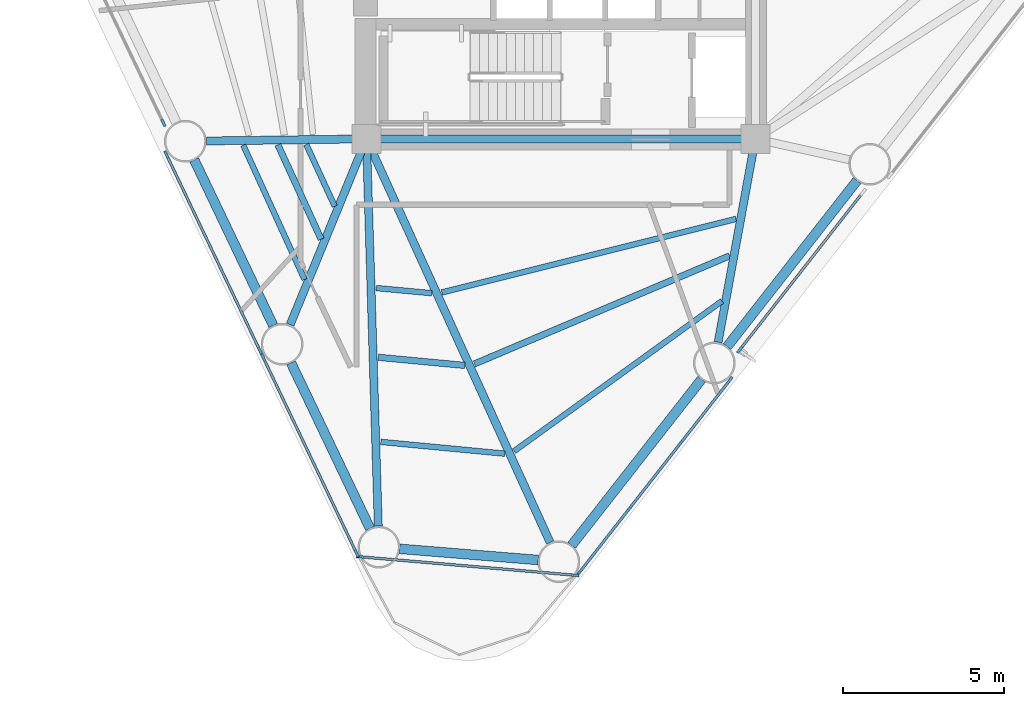
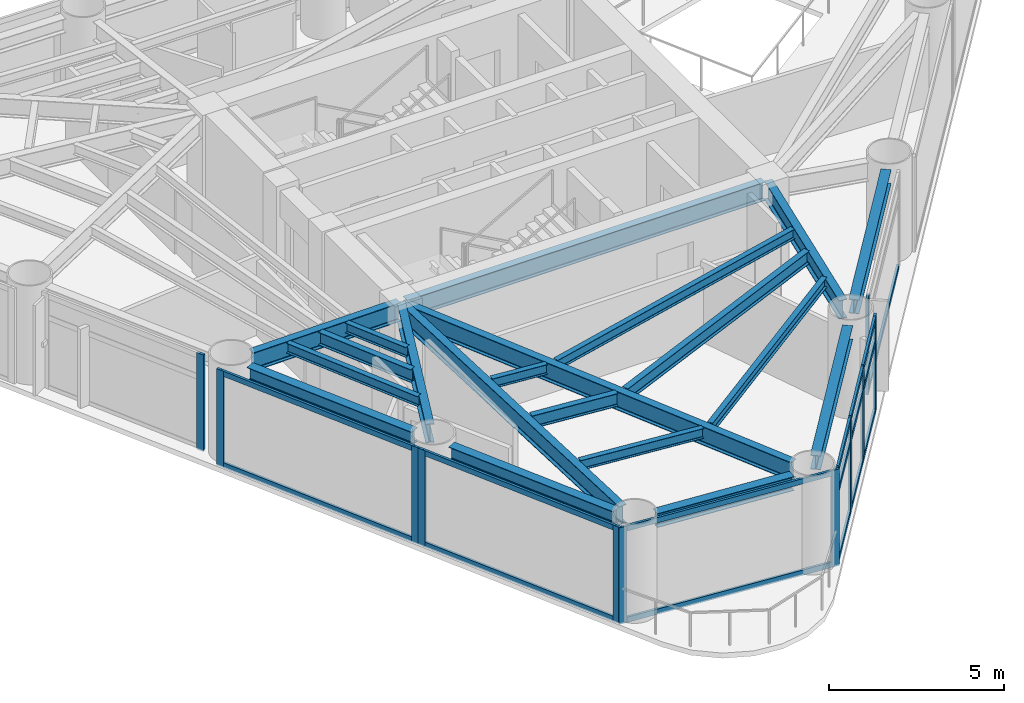
# One storey, part 2 of 10: 28 members, 20 beams, 6 elements without a shape of their own.
"""IFC4 building model written with IfcOpenShell, lengths in metres."""

from ifc_helpers import new_model, si_unit, direction, frame, origin, origin_2d, place, context, subcontext, project, spatial, rectangle, i_section, extrude, source, transform, mapped, material, layer, layer_set, material_profile, profile_set, type_object, element, aggregate, save


model = new_model("IFC4")

# Units and contexts
model_context = context("Model", 3, precision=1e-05, world=origin(), true_north=direction((0.0, 1.0)))
body_context = subcontext(model_context, "Body", "Model", "MODEL_VIEW")
ifc_project = project(units=[si_unit("LENGTHUNIT", "METRE"), si_unit("AREAUNIT", "SQUARE_METRE"), si_unit("VOLUMEUNIT", "CUBIC_METRE"), si_unit("PLANEANGLEUNIT", "RADIAN"), si_unit("MASSUNIT", "GRAM", prefix="KILO")], contexts=[model_context])

# Site, building, storey
site_placement = place(None, origin())
site = spatial("IfcSite", under=ifc_project, at=site_placement, CompositionType="ELEMENT")
building_placement = place(site_placement, origin())
building = spatial("IfcBuilding", under=site, at=building_placement, Name="Yunling Apex Tower", CompositionType="ELEMENT")
storey_placement = place(building_placement, frame((0.0, 0.0, 132.949951171875)))
storey = spatial("IfcBuildingStorey", under=building, at=storey_placement, Name="L32", CompositionType="ELEMENT", Elevation=132.949951171875)

# Beams
ifc_material_1 = material(Name="Steel Q355B", Category="steel")
ifc_material_profile_1 = material_profile(ifc_material_1, i_section(OverallWidth=0.25, OverallDepth=0.64990234375, WebThickness=0.011962890625, FlangeThickness=0.02001953125, FilletRadius=0.02392578125, at=origin_2d()))
ifc_profile_set_1 = profile_set([ifc_material_profile_1], Name="Steel Q355B")
beam_type_1 = type_object("IfcBeamType", Name="BG-PRI-4", PredefinedType="USERDEFINED", material=ifc_profile_set_1)
shared_shape_1 = source(origin(), body_context, "Body", "SweptSolid", [
    extrude(i_section(OverallWidth=0.25, OverallDepth=0.64990234375, WebThickness=0.011962890625, FlangeThickness=0.02001953125, FilletRadius=0.02392578125, at=origin_2d()), origin(), (0.0, 0.0, 1.0), 11.7998046875),
])
beam_1_placement = place(storey_placement, frame((-5.89990234375, -5.5, 2.945068359375), z_axis=(1.0, 0.0, 0.0), x_axis=(0.0, 1.0, 0.0)))
element("IfcBeam", 1, at=beam_1_placement, inside=storey, type_object=beam_type_1, Name="L32 Core Ring Tie Beam 1", ObjectType="GIRDER", PredefinedType="USERDEFINED", context=body_context, shape_type="MappedRepresentation", body=[
    mapped(shared_shape_1, transform((0.0, 0.0, 0.0), scale=1.0)),
])
ifc_material_profile_2 = material_profile(ifc_material_1, i_section(OverallWidth=0.300048828125, OverallDepth=0.489990234375, WebThickness=0.010986328125, FlangeThickness=0.01806640625, FilletRadius=0.02197265625, at=origin_2d()))
ifc_profile_set_2 = profile_set([ifc_material_profile_2], Name="Steel Q355B")
beam_type_2 = type_object("IfcBeamType", Name="BP-SPN-2", PredefinedType="SPANDREL", material=ifc_profile_set_2)
shared_shape_2 = source(origin(), body_context, "Body", "SweptSolid", [
    extrude(i_section(OverallWidth=0.300048828125, OverallDepth=0.489990234375, WebThickness=0.010986328125, FlangeThickness=0.01806640625, FilletRadius=0.02197265625, at=origin_2d()), origin(), (0.0, 0.0, 1.0), 6.562255859375),
])
for number, where, z_axis, x_axis, name in (
    (2, (0.332763671875, -18.147216796875, 3.025146484375), (0.616214963059, 0.787578008392, 0.0), (-0.787578008392, 0.616214963059, 0.0), "L32 Perimeter Spandrel Beam 1"),
    (3, (5.170166015625, -11.964599609375, 3.025146484375), (0.616214963059, 0.787578008392, 0.0), (-0.787578008392, 0.616214963059, 0.0), "L32 Perimeter Spandrel Beam 2"),
):
    element("IfcBeam", number, at=place(storey_placement, frame(where, z_axis=z_axis, x_axis=x_axis)), inside=storey, type_object=beam_type_2, Name=name, PredefinedType="SPANDREL", context=body_context, shape_type="MappedRepresentation", body=[
        mapped(shared_shape_2, transform((0.0, 0.0, 0.0), scale=1.0)),
    ])
shared_shape_3 = source(origin(), body_context, "Body", "SweptSolid", [
    extrude(i_section(OverallWidth=0.300048828125, OverallDepth=0.489990234375, WebThickness=0.010986328125, FlangeThickness=0.01806640625, FilletRadius=0.02197265625, at=origin_2d()), origin(), (0.0, 0.0, 1.0), 5.707763671875),
])
for number, where, z_axis, x_axis, name in (
    (4, (-11.407958984375, -6.15478515625, 3.025146484375), (0.430522919645, -0.902579645051, 0.0), (0.902579645051, 0.430522919645, 0.0), "L32 Perimeter Spandrel Beam 13"),
    (5, (-8.396240234375, -12.468994140625, 3.025146484375), (0.430522919645, -0.902579645051, 0.0), (0.902579645051, 0.430522919645, 0.0), "L32 Perimeter Spandrel Beam 14"),
):
    element("IfcBeam", number, at=place(storey_placement, frame(where, z_axis=z_axis, x_axis=x_axis)), inside=storey, type_object=beam_type_2, Name=name, PredefinedType="SPANDREL", context=body_context, shape_type="MappedRepresentation", body=[
        mapped(shared_shape_3, transform((0.0, 0.0, 0.0), scale=1.0)),
    ])
shared_shape_4 = source(origin(), body_context, "Body", "SweptSolid", [
    extrude(i_section(OverallWidth=0.300048828125, OverallDepth=0.489990234375, WebThickness=0.010986328125, FlangeThickness=0.01806640625, FilletRadius=0.02197265625, at=origin_2d()), origin(), (0.0, 0.0, 1.0), 4.328369140625),
])
beam_2_placement = place(storey_placement, frame((-5.02001953125, -18.25390625, 3.025146484375), z_axis=(0.996750747621, -0.08054779399, 0.0), x_axis=(0.08054779399, 0.996750747621, 0.0)))
element("IfcBeam", 6, at=beam_2_placement, inside=storey, type_object=beam_type_2, Name="L32 Perimeter Spandrel Beam 15", PredefinedType="SPANDREL", context=body_context, shape_type="MappedRepresentation", body=[
    mapped(shared_shape_4, transform((0.0, 0.0, 0.0), scale=1.0)),
])
shared_shape_5 = source(origin(), body_context, "Body", "SweptSolid", [
    extrude(i_section(OverallWidth=0.25, OverallDepth=0.64990234375, WebThickness=0.011962890625, FlangeThickness=0.02001953125, FilletRadius=0.02392578125, at=origin_2d()), origin(), (0.0, 0.0, 1.0), 13.714599609375),
])
beam_3_placement = place(storey_placement, frame((-0.33642578125, -18.0556640625, 2.945068359375), z_axis=(-0.414187834577, 0.910191429145, 0.0), x_axis=(-0.910191429145, -0.414187834577, 0.0)))
element("IfcBeam", 7, at=beam_3_placement, inside=storey, type_object=beam_type_1, Name="L32 Radial Primary Girder R01", ObjectType="GIRDER", PredefinedType="USERDEFINED", context=body_context, shape_type="MappedRepresentation", body=[
    mapped(shared_shape_5, transform((0.0, 0.0, 0.0), scale=1.0)),
])
shared_shape_6 = source(origin(), body_context, "Body", "SweptSolid", [
    extrude(i_section(OverallWidth=0.25, OverallDepth=0.64990234375, WebThickness=0.011962890625, FlangeThickness=0.02001953125, FilletRadius=0.02392578125, at=origin_2d()), origin(), (0.0, 0.0, 1.0), 6.349853515625),
])
beam_4_placement = place(storey_placement, frame((4.891845703125, -11.82470703125, 2.945068359375), z_axis=(0.18012699938, 0.983643362248, 0.0), x_axis=(-0.983643362248, 0.18012699938, 0.0)))
element("IfcBeam", 8, at=beam_4_placement, inside=storey, type_object=beam_type_1, Name="L32 Radial Primary Girder R02", ObjectType="GIRDER", PredefinedType="USERDEFINED", context=body_context, shape_type="MappedRepresentation", body=[
    mapped(shared_shape_6, transform((0.0, 0.0, 0.0), scale=1.0)),
])
shared_shape_7 = source(origin(), body_context, "Body", "SweptSolid", [
    extrude(i_section(OverallWidth=0.25, OverallDepth=0.64990234375, WebThickness=0.011962890625, FlangeThickness=0.02001953125, FilletRadius=0.02392578125, at=origin_2d()), origin(), (0.0, 0.0, 1.0), 4.89794921875),
])
beam_5_placement = place(storey_placement, frame((-11.02734375, -5.56494140625, 2.945068359375), z_axis=(0.999914718433, 0.0130597037, 0.0), x_axis=(-0.0130597037, 0.999914718433, 0.0)))
element("IfcBeam", 9, at=beam_5_placement, inside=storey, type_object=beam_type_1, Name="L32 Radial Primary Girder R13", ObjectType="GIRDER", PredefinedType="USERDEFINED", context=body_context, shape_type="MappedRepresentation", body=[
    mapped(shared_shape_7, transform((0.0, 0.0, 0.0), scale=1.0)),
])
shared_shape_8 = source(origin(), body_context, "Body", "SweptSolid", [
    extrude(i_section(OverallWidth=0.25, OverallDepth=0.64990234375, WebThickness=0.011962890625, FlangeThickness=0.02001953125, FilletRadius=0.02392578125, at=origin_2d()), origin(), (0.0, 0.0, 1.0), 6.16748046875),
])
beam_6_placement = place(storey_placement, frame((-8.423583984375, -11.279052734375, 2.945068359375), z_axis=(0.379933370098, 0.925013856267, 0.0), x_axis=(-0.925013856267, 0.379933370098, 0.0)))
element("IfcBeam", 10, at=beam_6_placement, inside=storey, type_object=beam_type_1, Name="L32 Radial Primary Girder R14", ObjectType="GIRDER", PredefinedType="USERDEFINED", context=body_context, shape_type="MappedRepresentation", body=[
    mapped(shared_shape_8, transform((0.0, 0.0, 0.0), scale=1.0)),
])
shared_shape_9 = source(origin(), body_context, "Body", "SweptSolid", [
    extrude(i_section(OverallWidth=0.25, OverallDepth=0.64990234375, WebThickness=0.011962890625, FlangeThickness=0.02001953125, FilletRadius=0.02392578125, at=origin_2d()), origin(), (0.0, 0.0, 1.0), 11.9697265625),
])
beam_7_placement = place(storey_placement, frame((-5.681884765625, -17.544189453125, 2.945068359375), z_axis=(-0.030554037514, 0.999533116406, 0.0), x_axis=(-0.999533116406, -0.030554037514, 0.0)))
element("IfcBeam", 11, at=beam_7_placement, inside=storey, type_object=beam_type_1, Name="L32 Radial Primary Girder R15", ObjectType="GIRDER", PredefinedType="USERDEFINED", context=body_context, shape_type="MappedRepresentation", body=[
    mapped(shared_shape_9, transform((0.0, 0.0, 0.0), scale=1.0)),
])
ifc_material_profile_3 = material_profile(ifc_material_1, i_section(OverallWidth=0.199951171875, OverallDepth=0.449951171875, WebThickness=0.009033203125, FlangeThickness=0.013916015625, FilletRadius=0.01806640625, at=origin_2d()))
ifc_profile_set_3 = profile_set([ifc_material_profile_3], Name="Steel Q355B")
beam_type_3 = type_object("IfcBeamType", Name="BS-SEC-3", PredefinedType="BEAM", material=ifc_profile_set_3)
shared_shape_10 = source(origin(), body_context, "Body", "SweptSolid", [
    extrude(i_section(OverallWidth=0.199951171875, OverallDepth=0.449951171875, WebThickness=0.009033203125, FlangeThickness=0.013916015625, FilletRadius=0.01806640625, at=origin_2d()), origin(), (0.0, 0.0, 1.0), 8.618896484375),
])
beam_8_placement = place(storey_placement, frame((-2.6884765625, -12.500732421875, 3.045166015625), z_axis=(0.920793969751, 0.390049311332, 0.0), x_axis=(-0.390049311332, 0.920793969751, 0.0)))
element("IfcBeam", 12, at=beam_8_placement, inside=storey, type_object=beam_type_3, Name="L32 Composite Floor Beam BS-1", PredefinedType="BEAM", context=body_context, shape_type="MappedRepresentation", body=[
    mapped(shared_shape_10, transform((0.0, 0.0, 0.0), scale=1.0)),
])
ifc_material_profile_4 = material_profile(ifc_material_1, i_section(OverallWidth=0.175048828125, OverallDepth=0.35009765625, WebThickness=0.007080078125, FlangeThickness=0.010986328125, FilletRadius=0.013916015625, at=origin_2d()))
ifc_profile_set_4 = profile_set([ifc_material_profile_4], Name="Steel Q355B")
beam_type_4 = type_object("IfcBeamType", Name="BJ-JST-1", PredefinedType="JOIST", material=ifc_profile_set_4)
shared_shape_11 = source(origin(), body_context, "Body", "SweptSolid", [
    extrude(i_section(OverallWidth=0.175048828125, OverallDepth=0.35009765625, WebThickness=0.007080078125, FlangeThickness=0.010986328125, FilletRadius=0.013916015625, at=origin_2d()), origin(), (0.0, 0.0, 1.0), 7.98046875),
])
beam_9_placement = place(storey_placement, frame((-1.45654296875, -15.2158203125, 3.094970703125), z_axis=(0.81075666384, 0.585383320602, 0.0), x_axis=(-0.585383320602, 0.81075666384, 0.0)))
element("IfcBeam", 13, at=beam_9_placement, inside=storey, type_object=beam_type_4, Name="L32 Composite Floor Joist BJ1-1", PredefinedType="JOIST", context=body_context, shape_type="MappedRepresentation", body=[
    mapped(shared_shape_11, transform((0.0, 0.0, 0.0), scale=1.0)),
])
shared_shape_12 = source(origin(), body_context, "Body", "SweptSolid", [
    extrude(i_section(OverallWidth=0.175048828125, OverallDepth=0.35009765625, WebThickness=0.007080078125, FlangeThickness=0.010986328125, FilletRadius=0.013916015625, at=origin_2d()), origin(), (0.0, 0.0, 1.0), 9.430419921875),
])
beam_10_placement = place(storey_placement, frame((-3.703125, -10.277587890625, 3.094970703125), z_axis=(0.970157726952, 0.242474709682, 0.0), x_axis=(-0.242474709682, 0.970157726952, 0.0)))
element("IfcBeam", 14, at=beam_10_placement, inside=storey, type_object=beam_type_4, Name="L32 Composite Floor Joist BJ3-1", PredefinedType="JOIST", context=body_context, shape_type="MappedRepresentation", body=[
    mapped(shared_shape_12, transform((0.0, 0.0, 0.0), scale=1.0)),
])
shared_shape_13 = source(origin(), body_context, "Body", "SweptSolid", [
    extrude(i_section(OverallWidth=0.199951171875, OverallDepth=0.449951171875, WebThickness=0.009033203125, FlangeThickness=0.013916015625, FilletRadius=0.01806640625, at=origin_2d()), origin(), (0.0, 0.0, 1.0), 3.234619140625),
])
beam_11_placement = place(storey_placement, frame((-8.805908203125, -5.682373046875, 3.045166015625), z_axis=(0.416337611841, -0.909210092864, 0.0), x_axis=(0.909210092864, 0.416337611841, 0.0)))
element("IfcBeam", 15, at=beam_11_placement, inside=storey, type_object=beam_type_3, Name="L32 Composite Floor Beam BS-13", PredefinedType="BEAM", context=body_context, shape_type="MappedRepresentation", body=[
    mapped(shared_shape_13, transform((0.0, 0.0, 0.0), scale=1.0)),
])
shared_shape_14 = source(origin(), body_context, "Body", "SweptSolid", [
    extrude(i_section(OverallWidth=0.175048828125, OverallDepth=0.35009765625, WebThickness=0.007080078125, FlangeThickness=0.010986328125, FilletRadius=0.013916015625, at=origin_2d()), origin(), (0.0, 0.0, 1.0), 4.596923828125),
])
beam_12_placement = place(storey_placement, frame((-9.883544921875, -5.696533203125, 3.094970703125), z_axis=(0.415258909569, -0.909703269217, 0.0), x_axis=(0.909703269217, 0.415258909569, 0.0)))
element("IfcBeam", 16, at=beam_12_placement, inside=storey, type_object=beam_type_4, Name="L32 Composite Floor Joist BJ1-13", PredefinedType="JOIST", context=body_context, shape_type="MappedRepresentation", body=[
    mapped(shared_shape_14, transform((0.0, 0.0, 0.0), scale=1.0)),
])
shared_shape_15 = source(origin(), body_context, "Body", "SweptSolid", [
    extrude(i_section(OverallWidth=0.175048828125, OverallDepth=0.35009765625, WebThickness=0.007080078125, FlangeThickness=0.010986328125, FilletRadius=0.013916015625, at=origin_2d()), origin(), (0.0, 0.0, 1.0), 2.1201171875),
])
beam_13_placement = place(storey_placement, frame((-7.924072265625, -5.670654296875, 3.094970703125), z_axis=(0.418101376265, -0.908400373825, 0.0), x_axis=(0.908400373825, 0.418101376265, 0.0)))
element("IfcBeam", 17, at=beam_13_placement, inside=storey, type_object=beam_type_4, Name="L32 Composite Floor Joist BJ3-13", PredefinedType="JOIST", context=body_context, shape_type="MappedRepresentation", body=[
    mapped(shared_shape_15, transform((0.0, 0.0, 0.0), scale=1.0)),
])
shared_shape_16 = source(origin(), body_context, "Body", "SweptSolid", [
    extrude(i_section(OverallWidth=0.199951171875, OverallDepth=0.449951171875, WebThickness=0.009033203125, FlangeThickness=0.013916015625, FilletRadius=0.01806640625, at=origin_2d()), origin(), (0.0, 0.0, 1.0), 2.700439453125),
])
beam_14_placement = place(storey_placement, frame((-5.68359375, -12.294921875, 3.045166015625), z_axis=(0.995595280091, -0.09375520391, 0.0), x_axis=(0.09375520391, 0.995595280091, 0.0)))
element("IfcBeam", 18, at=beam_14_placement, inside=storey, type_object=beam_type_3, Name="L32 Composite Floor Beam BS-15", PredefinedType="BEAM", context=body_context, shape_type="MappedRepresentation", body=[
    mapped(shared_shape_16, transform((0.0, 0.0, 0.0), scale=1.0)),
])
shared_shape_17 = source(origin(), body_context, "Body", "SweptSolid", [
    extrude(i_section(OverallWidth=0.175048828125, OverallDepth=0.35009765625, WebThickness=0.007080078125, FlangeThickness=0.010986328125, FilletRadius=0.013916015625, at=origin_2d()), origin(), (0.0, 0.0, 1.0), 3.874755859375),
])
beam_15_placement = place(storey_placement, frame((-5.60302734375, -14.92724609375, 3.094970703125), z_axis=(0.995505944035, -0.094699078094, 0.0), x_axis=(0.094699078094, 0.995505944035, 0.0)))
element("IfcBeam", 19, at=beam_15_placement, inside=storey, type_object=beam_type_4, Name="L32 Composite Floor Joist BJ1-15", PredefinedType="JOIST", context=body_context, shape_type="MappedRepresentation", body=[
    mapped(shared_shape_17, transform((0.0, 0.0, 0.0), scale=1.0)),
])
shared_shape_18 = source(origin(), body_context, "Body", "SweptSolid", [
    extrude(i_section(OverallWidth=0.175048828125, OverallDepth=0.35009765625, WebThickness=0.007080078125, FlangeThickness=0.010986328125, FilletRadius=0.013916015625, at=origin_2d()), origin(), (0.0, 0.0, 1.0), 1.739013671875),
])
beam_16_placement = place(storey_placement, frame((-5.749267578125, -10.14111328125, 3.094970703125), z_axis=(0.995737570839, -0.092231719166, 0.0), x_axis=(0.092231719166, 0.995737570839, 0.0)))
element("IfcBeam", 20, at=beam_16_placement, inside=storey, type_object=beam_type_4, Name="L32 Composite Floor Joist BJ3-15", PredefinedType="JOIST", context=body_context, shape_type="MappedRepresentation", body=[
    mapped(shared_shape_18, transform((0.0, 0.0, 0.0), scale=1.0)),
])

# Curtain wall, members
ifc_material_2 = material(Name="Bronze anodised aluminium", Category="aluminium")
ifc_layer = layer(ifc_material_2, 0.239990234375)
ifc_layer_set = layer_set([ifc_layer], Name="Bronze anodised aluminium")
curtain_wall_type = type_object("IfcCurtainWallType", Name="CW-SYS-3", PredefinedType="NOTDEFINED", material=ifc_layer_set)
curtain_wall_1_placement = place(storey_placement, origin())
curtain_wall_1 = element("IfcCurtainWall", 21, at=curtain_wall_1_placement, inside=storey, type_object=curtain_wall_type, Name="CW-L32-F1-B1", PredefinedType="NOTDEFINED")
ifc_material_profile_5 = material_profile(ifc_material_2, rectangle(XDim=0.080078125, YDim=0.239990234375, at=origin_2d()))
ifc_profile_set_5 = profile_set([ifc_material_profile_5], Name="Bronze anodised aluminium")
member_type_1 = type_object("IfcMemberType", Name="CW-MUL-3", PredefinedType="MULLION", material=ifc_profile_set_5)
shared_shape_19 = source(origin(), body_context, "Body", "SweptSolid", [
    extrude(rectangle(XDim=0.080078125, YDim=0.239990234375, at=origin_2d()), origin(), (0.0, 0.0, 1.0), 3.3701171875),
])
member_1_placement = place(storey_placement, frame((0.569091796875, -18.99755859375, -0.050048828125), z_axis=(0.0, 0.0, 1.0), x_axis=(-0.787583748686, 0.616207626377, 0.0)))
member_1 = element("IfcMember", 22, at=member_1_placement, type_object=member_type_1, Name="CW-SYS-3 mullion 1", PredefinedType="MULLION", context=body_context, shape_type="MappedRepresentation", body=[
    mapped(shared_shape_19, transform((0.0, 0.0, 0.0), scale=1.0)),
])
member_2_placement = place(storey_placement, frame((2.1240234375, -17.01025390625, -0.050048828125), z_axis=(0.0, 0.0, 1.0), x_axis=(-0.787583748686, 0.616207626377, 0.0)))
member_2 = element("IfcMember", 23, at=member_2_placement, type_object=member_type_1, Name="CW-SYS-3 mullion 2", PredefinedType="MULLION", context=body_context, shape_type="MappedRepresentation", body=[
    mapped(shared_shape_19, transform((0.0, 0.0, 0.0), scale=1.0)),
])
member_3_placement = place(storey_placement, frame((3.70361328125, -14.9912109375, -0.050048828125), z_axis=(0.0, 0.0, 1.0), x_axis=(-0.787583748686, 0.616207626377, 0.0)))
member_3 = element("IfcMember", 24, at=member_3_placement, type_object=member_type_1, Name="CW-SYS-3 mullion 3", PredefinedType="MULLION", context=body_context, shape_type="MappedRepresentation", body=[
    mapped(shared_shape_19, transform((0.0, 0.0, 0.0), scale=1.0)),
])
member_4_placement = place(storey_placement, frame((5.258544921875, -13.00390625, -0.050048828125), z_axis=(0.0, 0.0, 1.0), x_axis=(-0.787583748686, 0.616207626377, 0.0)))
member_4 = element("IfcMember", 25, at=member_4_placement, type_object=member_type_1, Name="CW-SYS-3 mullion 4", PredefinedType="MULLION", context=body_context, shape_type="MappedRepresentation", body=[
    mapped(shared_shape_19, transform((0.0, 0.0, 0.0), scale=1.0)),
])

# Curtain wall, member
curtain_wall_2_placement = place(storey_placement, origin())
curtain_wall_2 = element("IfcCurtainWall", 26, at=curtain_wall_2_placement, inside=storey, type_object=curtain_wall_type, Name="CW-L32-F1-B2", PredefinedType="NOTDEFINED")
member_5_placement = place(storey_placement, frame((5.56396484375, -12.06201171875, -0.050048828125), z_axis=(0.0, 0.0, 1.0), x_axis=(-0.787590269126, 0.616199292419, 0.0)))
member_5 = element("IfcMember", 27, at=member_5_placement, type_object=member_type_1, Name="CW-SYS-3 mullion 1", PredefinedType="MULLION", context=body_context, shape_type="MappedRepresentation", body=[
    mapped(shared_shape_19, transform((0.0, 0.0, 0.0), scale=1.0)),
])

curtain_wall_3_placement = place(storey_placement, origin())
curtain_wall_3 = element("IfcCurtainWall", 28, at=curtain_wall_3_placement, inside=storey, type_object=curtain_wall_type, Name="CW-L32-F3-B2", PredefinedType="NOTDEFINED")
member_6_placement = place(storey_placement, frame((-12.36767578125, -5.001708984375, -0.050048828125), z_axis=(0.0, 0.0, 1.0), x_axis=(0.902579794247, 0.430522606859, 0.0)))
member_6 = element("IfcMember", 29, at=member_6_placement, type_object=member_type_1, Name="CW-SYS-3 mullion 2", PredefinedType="MULLION", context=body_context, shape_type="MappedRepresentation", body=[
    mapped(shared_shape_19, transform((0.0, 0.0, 0.0), scale=1.0)),
])
aggregate(curtain_wall_3, [member_6])

# Curtain wall, members
curtain_wall_4_placement = place(storey_placement, origin())
curtain_wall_4 = element("IfcCurtainWall", 30, at=curtain_wall_4_placement, inside=storey, type_object=curtain_wall_type, Name="CW-L32-F3-B3", PredefinedType="NOTDEFINED")
member_7_placement = place(storey_placement, frame((-12.274169921875, -5.987548828125, -0.050048828125), z_axis=(0.0, 0.0, 1.0), x_axis=(0.902593449526, 0.430493977743, 0.0)))
member_7 = element("IfcMember", 31, at=member_7_placement, type_object=member_type_1, Name="CW-SYS-3 mullion 1", PredefinedType="MULLION", context=body_context, shape_type="MappedRepresentation", body=[
    mapped(shared_shape_19, transform((0.0, 0.0, 0.0), scale=1.0)),
])
member_8_placement = place(storey_placement, frame((-9.365966796875, -12.085205078125, -0.050048828125), z_axis=(0.0, 0.0, 1.0), x_axis=(0.902593449526, 0.430493977743, 0.0)))
member_8 = element("IfcMember", 32, at=member_8_placement, type_object=member_type_1, Name="CW-SYS-3 mullion 2", PredefinedType="MULLION", context=body_context, shape_type="MappedRepresentation", body=[
    mapped(shared_shape_19, transform((0.0, 0.0, 0.0), scale=1.0)),
])

curtain_wall_5_placement = place(storey_placement, origin())
curtain_wall_5 = element("IfcCurtainWall", 33, at=curtain_wall_5_placement, inside=storey, type_object=curtain_wall_type, Name="CW-L32-F3-B4", PredefinedType="NOTDEFINED")
member_9_placement = place(storey_placement, frame((-9.2626953125, -12.3017578125, -0.050048828125), z_axis=(0.0, 0.0, 1.0), x_axis=(0.902585053788, 0.430511580192, 0.0)))
member_9 = element("IfcMember", 34, at=member_9_placement, type_object=member_type_1, Name="CW-SYS-3 mullion 1", PredefinedType="MULLION", context=body_context, shape_type="MappedRepresentation", body=[
    mapped(shared_shape_19, transform((0.0, 0.0, 0.0), scale=1.0)),
])
member_10_placement = place(storey_placement, frame((-6.354248046875, -18.399169921875, -0.050048828125), z_axis=(0.0, 0.0, 1.0), x_axis=(0.902585053788, 0.430511580192, 0.0)))
member_10 = element("IfcMember", 35, at=member_10_placement, type_object=member_type_1, Name="CW-SYS-3 mullion 2", PredefinedType="MULLION", context=body_context, shape_type="MappedRepresentation", body=[
    mapped(shared_shape_19, transform((0.0, 0.0, 0.0), scale=1.0)),
])

curtain_wall_6_placement = place(storey_placement, origin())
curtain_wall_6 = element("IfcCurtainWall", 36, at=curtain_wall_6_placement, inside=storey, type_object=curtain_wall_type, Name="CW-L32-CRN3", PredefinedType="NOTDEFINED")
member_11_placement = place(storey_placement, frame((-6.24462890625, -18.50244140625, -0.050048828125), z_axis=(0.0, 0.0, 1.0), x_axis=(0.085550287883, 0.996333853808, 0.0)))
member_11 = element("IfcMember", 37, at=member_11_placement, type_object=member_type_1, Name="CW-SYS-3 mullion 1", PredefinedType="MULLION", context=body_context, shape_type="MappedRepresentation", body=[
    mapped(shared_shape_19, transform((0.0, 0.0, 0.0), scale=1.0)),
])
member_12_placement = place(storey_placement, frame((0.439697265625, -19.076171875, -0.050048828125), z_axis=(0.0, 0.0, 1.0), x_axis=(0.085550287883, 0.996333853808, 0.0)))
member_12 = element("IfcMember", 38, at=member_12_placement, type_object=member_type_1, Name="CW-SYS-3 mullion 2", PredefinedType="MULLION", context=body_context, shape_type="MappedRepresentation", body=[
    mapped(shared_shape_19, transform((0.0, 0.0, 0.0), scale=1.0)),
])

# Member
ifc_material_profile_6 = material_profile(ifc_material_2, rectangle(XDim=0.080078125, YDim=0.18505859375, at=origin_2d()))
ifc_profile_set_6 = profile_set([ifc_material_profile_6], Name="Bronze anodised aluminium")
member_type_2 = type_object("IfcMemberType", Name="CW-TRN-3", PredefinedType="USERDEFINED", material=ifc_profile_set_6)
shared_shape_20 = source(origin(), body_context, "Body", "SweptSolid", [
    extrude(rectangle(XDim=0.080078125, YDim=0.18505859375, at=origin_2d()), origin(), (0.0, 0.0, 1.0), 2.451416015625),
])
member_13_placement = place(storey_placement, frame((0.59130859375, -18.96923828125, 0.0400390625), z_axis=(0.616192781155, 0.787595363402, 0.0), x_axis=(-0.787595363402, 0.616192781155, 0.0)))
member_13 = element("IfcMember", 39, at=member_13_placement, type_object=member_type_2, Name="CW-SYS-3 transom 1.1", ObjectType="TRANSOM", PredefinedType="USERDEFINED", context=body_context, shape_type="MappedRepresentation", body=[
    mapped(shared_shape_20, transform((0.0, 0.0, 0.0), scale=1.0)),
])

member_14_placement = place(storey_placement, frame((0.59130859375, -18.96923828125, 2.4853515625), z_axis=(0.616192781155, 0.787595363402, 0.0), x_axis=(-0.787595363402, 0.616192781155, 0.0)))
member_14 = element("IfcMember", 40, at=member_14_placement, type_object=member_type_2, Name="CW-SYS-3 transom 1.2", ObjectType="TRANSOM", PredefinedType="USERDEFINED", context=body_context, shape_type="MappedRepresentation", body=[
    mapped(shared_shape_20, transform((0.0, 0.0, 0.0), scale=1.0)),
])

member_15_placement = place(storey_placement, frame((0.59130859375, -18.96923828125, 3.22998046875), z_axis=(0.616192781155, 0.787595363402, 0.0), x_axis=(-0.787595363402, 0.616192781155, 0.0)))
member_15 = element("IfcMember", 41, at=member_15_placement, type_object=member_type_2, Name="CW-SYS-3 transom 1.3", ObjectType="TRANSOM", PredefinedType="USERDEFINED", context=body_context, shape_type="MappedRepresentation", body=[
    mapped(shared_shape_20, transform((0.0, 0.0, 0.0), scale=1.0)),
])

member_16_placement = place(storey_placement, frame((3.725830078125, -14.962890625, 0.0400390625), z_axis=(0.616192781155, 0.787595363402, 0.0), x_axis=(-0.787595363402, 0.616192781155, 0.0)))
member_16 = element("IfcMember", 42, at=member_16_placement, type_object=member_type_2, Name="CW-SYS-3 transom 3.1", ObjectType="TRANSOM", PredefinedType="USERDEFINED", context=body_context, shape_type="MappedRepresentation", body=[
    mapped(shared_shape_20, transform((0.0, 0.0, 0.0), scale=1.0)),
])

member_17_placement = place(storey_placement, frame((3.725830078125, -14.962890625, 2.4853515625), z_axis=(0.616192781155, 0.787595363402, 0.0), x_axis=(-0.787595363402, 0.616192781155, 0.0)))
member_17 = element("IfcMember", 43, at=member_17_placement, type_object=member_type_2, Name="CW-SYS-3 transom 3.2", ObjectType="TRANSOM", PredefinedType="USERDEFINED", context=body_context, shape_type="MappedRepresentation", body=[
    mapped(shared_shape_20, transform((0.0, 0.0, 0.0), scale=1.0)),
])

member_18_placement = place(storey_placement, frame((3.725830078125, -14.962890625, 3.22998046875), z_axis=(0.616192781155, 0.787595363402, 0.0), x_axis=(-0.787595363402, 0.616192781155, 0.0)))
member_18 = element("IfcMember", 44, at=member_18_placement, type_object=member_type_2, Name="CW-SYS-3 transom 3.3", ObjectType="TRANSOM", PredefinedType="USERDEFINED", context=body_context, shape_type="MappedRepresentation", body=[
    mapped(shared_shape_20, transform((0.0, 0.0, 0.0), scale=1.0)),
])

shared_shape_21 = source(origin(), body_context, "Body", "SweptSolid", [
    extrude(rectangle(XDim=0.080078125, YDim=0.18505859375, at=origin_2d()), origin(), (0.0, 0.0, 1.0), 2.491455078125),
])
member_19_placement = place(storey_placement, frame((2.146240234375, -16.981689453125, 0.0400390625), z_axis=(0.616197277936, 0.787591845225, 0.0), x_axis=(-0.787591845225, 0.616197277936, 0.0)))
member_19 = element("IfcMember", 45, at=member_19_placement, type_object=member_type_2, Name="CW-SYS-3 transom 2.1", ObjectType="TRANSOM", PredefinedType="USERDEFINED", context=body_context, shape_type="MappedRepresentation", body=[
    mapped(shared_shape_21, transform((0.0, 0.0, 0.0), scale=1.0)),
])

member_20_placement = place(storey_placement, frame((2.146240234375, -16.981689453125, 2.4853515625), z_axis=(0.616197277936, 0.787591845225, 0.0), x_axis=(-0.787591845225, 0.616197277936, 0.0)))
member_20 = element("IfcMember", 46, at=member_20_placement, type_object=member_type_2, Name="CW-SYS-3 transom 2.2", ObjectType="TRANSOM", PredefinedType="USERDEFINED", context=body_context, shape_type="MappedRepresentation", body=[
    mapped(shared_shape_21, transform((0.0, 0.0, 0.0), scale=1.0)),
])

member_21_placement = place(storey_placement, frame((2.146240234375, -16.981689453125, 3.22998046875), z_axis=(0.616197277936, 0.787591845225, 0.0), x_axis=(-0.787591845225, 0.616197277936, 0.0)))
member_21 = element("IfcMember", 47, at=member_21_placement, type_object=member_type_2, Name="CW-SYS-3 transom 2.3", ObjectType="TRANSOM", PredefinedType="USERDEFINED", context=body_context, shape_type="MappedRepresentation", body=[
    mapped(shared_shape_21, transform((0.0, 0.0, 0.0), scale=1.0)),
])

aggregate(curtain_wall_1, [member_1, member_2, member_3, member_4, member_13, member_14, member_15, member_19, member_20, member_21, member_16, member_17, member_18])

shared_shape_22 = source(origin(), body_context, "Body", "SweptSolid", [
    extrude(rectangle(XDim=0.080078125, YDim=0.18505859375, at=origin_2d()), origin(), (0.0, 0.0, 1.0), 6.158203125),
])
member_22_placement = place(storey_placement, frame((5.5859375, -12.03369140625, 0.0400390625), z_axis=(0.616202427613, 0.787587816185, 0.0), x_axis=(-0.787587816185, 0.616202427613, 0.0)))
member_22 = element("IfcMember", 48, at=member_22_placement, type_object=member_type_2, Name="CW-SYS-3 transom 1.1", ObjectType="TRANSOM", PredefinedType="USERDEFINED", context=body_context, shape_type="MappedRepresentation", body=[
    mapped(shared_shape_22, transform((0.0, 0.0, 0.0), scale=1.0)),
])

aggregate(curtain_wall_2, [member_5, member_22])

shared_shape_23 = source(origin(), body_context, "Body", "SweptSolid", [
    extrude(rectangle(XDim=0.080078125, YDim=0.18505859375, at=origin_2d()), origin(), (0.0, 0.0, 1.0), 6.68359375),
])
member_23_placement = place(storey_placement, frame((-12.2587890625, -6.02001953125, 0.0400390625), z_axis=(0.430493585609, -0.902593636555, 0.0), x_axis=(0.902593636555, 0.430493585609, 0.0)))
member_23 = element("IfcMember", 49, at=member_23_placement, type_object=member_type_2, Name="CW-SYS-3 transom 1.1", ObjectType="TRANSOM", PredefinedType="USERDEFINED", context=body_context, shape_type="MappedRepresentation", body=[
    mapped(shared_shape_23, transform((0.0, 0.0, 0.0), scale=1.0)),
])

member_24_placement = place(storey_placement, frame((-12.2587890625, -6.02001953125, 3.22998046875), z_axis=(0.430493585609, -0.902593636555, 0.0), x_axis=(0.902593636555, 0.430493585609, 0.0)))
member_24 = element("IfcMember", 50, at=member_24_placement, type_object=member_type_2, Name="CW-SYS-3 transom 1.2", ObjectType="TRANSOM", PredefinedType="USERDEFINED", context=body_context, shape_type="MappedRepresentation", body=[
    mapped(shared_shape_23, transform((0.0, 0.0, 0.0), scale=1.0)),
])

aggregate(curtain_wall_4, [member_7, member_8, member_23, member_24])

member_25_placement = place(storey_placement, frame((-9.2470703125, -12.334228515625, 0.0400390625), z_axis=(0.430493585609, -0.902593636555, 0.0), x_axis=(0.902593636555, 0.430493585609, 0.0)))
member_25 = element("IfcMember", 51, at=member_25_placement, type_object=member_type_2, Name="CW-SYS-3 transom 1.1", ObjectType="TRANSOM", PredefinedType="USERDEFINED", context=body_context, shape_type="MappedRepresentation", body=[
    mapped(shared_shape_23, transform((0.0, 0.0, 0.0), scale=1.0)),
])

member_26_placement = place(storey_placement, frame((-9.2470703125, -12.334228515625, 3.22998046875), z_axis=(0.430493585609, -0.902593636555, 0.0), x_axis=(0.902593636555, 0.430493585609, 0.0)))
member_26 = element("IfcMember", 52, at=member_26_placement, type_object=member_type_2, Name="CW-SYS-3 transom 1.2", ObjectType="TRANSOM", PredefinedType="USERDEFINED", context=body_context, shape_type="MappedRepresentation", body=[
    mapped(shared_shape_23, transform((0.0, 0.0, 0.0), scale=1.0)),
])

aggregate(curtain_wall_5, [member_9, member_10, member_25, member_26])

shared_shape_24 = source(origin(), body_context, "Body", "SweptSolid", [
    extrude(rectangle(XDim=0.080078125, YDim=0.18505859375, at=origin_2d()), origin(), (0.0, 0.0, 1.0), 6.63720703125),
])
member_27_placement = place(storey_placement, frame((-6.208984375, -18.50537109375, 0.0400390625), z_axis=(0.996333043608, -0.085559723083, 0.0), x_axis=(0.085559723083, 0.996333043608, 0.0)))
member_27 = element("IfcMember", 53, at=member_27_placement, type_object=member_type_2, Name="CW-SYS-3 transom 1.1", ObjectType="TRANSOM", PredefinedType="USERDEFINED", context=body_context, shape_type="MappedRepresentation", body=[
    mapped(shared_shape_24, transform((0.0, 0.0, 0.0), scale=1.0)),
])

member_28_placement = place(storey_placement, frame((-6.208984375, -18.50537109375, 3.22998046875), z_axis=(0.996333043608, -0.085559723083, 0.0), x_axis=(0.085559723083, 0.996333043608, 0.0)))
member_28 = element("IfcMember", 54, at=member_28_placement, type_object=member_type_2, Name="CW-SYS-3 transom 1.2", ObjectType="TRANSOM", PredefinedType="USERDEFINED", context=body_context, shape_type="MappedRepresentation", body=[
    mapped(shared_shape_24, transform((0.0, 0.0, 0.0), scale=1.0)),
])

aggregate(curtain_wall_6, [member_11, member_12, member_27, member_28])

save(model, "model.ifc")
